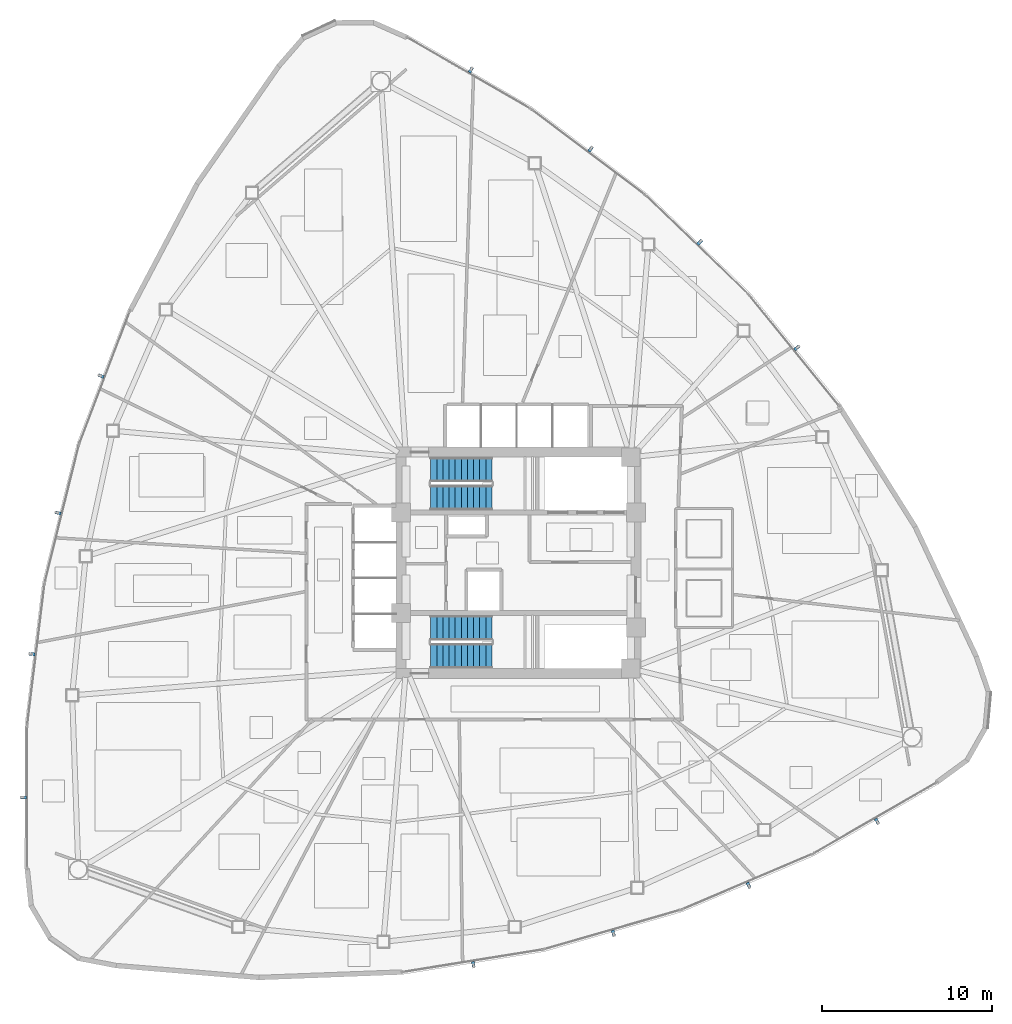
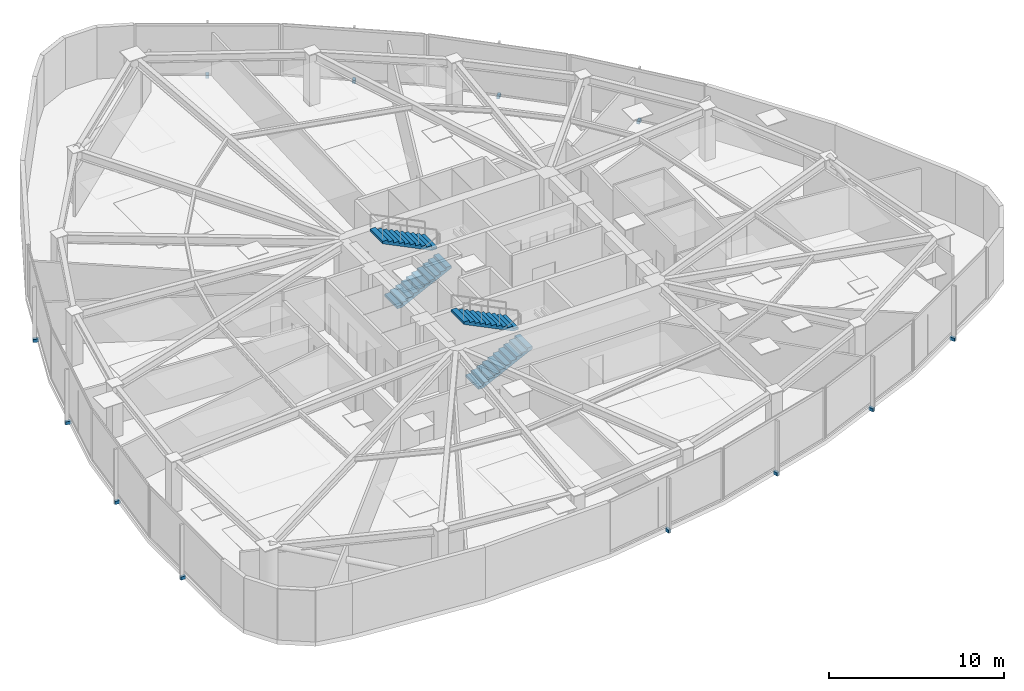
# One storey, part 13 of 17: 12 discrete accessories, 4 stair flights, 2 elements without a shape of their own.
"""IFC4 building model written with IfcOpenShell, lengths in metres."""

from ifc_helpers import new_model, si_unit, direction, frame, origin, origin_2d, place, context, subcontext, project, spatial, polyline, rectangle, outline, extrude, source, transform, mapped, material, type_object, type_shapes, element, aggregate, save


model = new_model("IFC4")

# Units and contexts
model_context = context("Model", 3, precision=1e-05, world=origin(), true_north=direction((0.0, 1.0)))
body_context = subcontext(model_context, "Body", "Model", "MODEL_VIEW")
ifc_project = project(units=[si_unit("LENGTHUNIT", "METRE"), si_unit("AREAUNIT", "SQUARE_METRE"), si_unit("VOLUMEUNIT", "CUBIC_METRE"), si_unit("PLANEANGLEUNIT", "RADIAN"), si_unit("MASSUNIT", "GRAM", prefix="KILO")], contexts=[model_context])

# Site, building, storey
site_placement = place(None, origin())
site = spatial("IfcSite", under=ifc_project, at=site_placement, CompositionType="ELEMENT")
building_placement = place(site_placement, origin())
building = spatial("IfcBuilding", under=site, at=building_placement, Name="Tavelor Broadcast Tower", CompositionType="ELEMENT")
storey_placement = place(building_placement, frame((0.0, 0.0, 78.300048828125)))
storey = spatial("IfcBuildingStorey", under=building, at=storey_placement, Name="L18", CompositionType="ELEMENT", Elevation=78.300048828125)

# Stair, stair flights
ifc_material_1 = material(Name="Concrete C40/50", Category="concrete")
stair_type = type_object("IfcStairType", Name="Reinforced Concrete Protected Dogleg Stair 1450 mm", PredefinedType="HALF_TURN_STAIR", material=ifc_material_1)
stair_1_placement = place(storey_placement, origin())
stair_1 = element("IfcStair", 1, at=stair_1_placement, inside=storey, type_object=stair_type, Name="L18 Protected Core Exit Stair ST1", PredefinedType="HALF_TURN_STAIR")
stair_flight_type = type_object("IfcStairFlightType", Name="Reinforced Concrete Stair Flight 1450 mm", PredefinedType="STRAIGHT", material=ifc_material_1)
stair_flight_1_placement = place(storey_placement, frame((44.85009765625, 48.824951171875, 0.0), z_axis=(0.0, 0.0, 1.0), x_axis=(1.0, 0.0, 0.0)))
stair_flight_1 = element("IfcStairFlight", 2, at=stair_flight_1_placement, type_object=stair_flight_type, Name="ST1 flight 1", NumberOfRisers=11, NumberOfTreads=10, PredefinedType="STRAIGHT", RiserHeight=0.177272727, TreadLength=0.36, context=body_context, shape_type="SweptSolid", body=[
    extrude(outline(polyline([(0.0, 0.0), (0.0, 0.17724609375), (0.360107421875, 0.17724609375), (0.360107421875, 0.3544921875), (0.719970703125, 0.3544921875), (0.719970703125, 0.53173828125), (1.080078125, 0.53173828125), (1.080078125, 0.708984375), (1.43994140625, 0.708984375), (1.43994140625, 0.886474609375), (1.800048828125, 0.886474609375), (1.800048828125, 1.063720703125), (2.159912109375, 1.063720703125), (2.159912109375, 1.240966796875), (2.52001953125, 1.240966796875), (2.52001953125, 1.418212890625), (2.8798828125, 1.418212890625), (2.8798828125, 1.595458984375), (3.239990234375, 1.595458984375), (3.239990234375, 1.772705078125), (3.60009765625, 1.772705078125), (3.60009765625, 1.949951171875), (3.60009765625, 1.605712890625), (0.33935546875, 0.0), (0.0, 0.0)])), frame((0.0, 0.72509765625, 0.0), z_axis=(0.0, -1.0, 0.0), x_axis=(1.0, 0.0, 0.0)), (0.0, 0.0, 1.0), 1.449951171875),
])
stair_flight_2_placement = place(storey_placement, frame((48.449951171875, 50.47509765625, 1.949951171875), z_axis=(0.0, 0.0, 1.0), x_axis=(-1.0, 0.0, 0.0)))
stair_flight_2 = element("IfcStairFlight", 3, at=stair_flight_2_placement, type_object=stair_flight_type, Name="ST1 flight 2", NumberOfRisers=11, NumberOfTreads=10, PredefinedType="STRAIGHT", RiserHeight=0.177272727, TreadLength=0.36, context=body_context, shape_type="SweptSolid", body=[
    extrude(outline(polyline([(0.0, 0.0), (0.0, 0.17724609375), (0.360107421875, 0.17724609375), (0.360107421875, 0.3544921875), (0.719970703125, 0.3544921875), (0.719970703125, 0.53173828125), (1.080078125, 0.53173828125), (1.080078125, 0.708984375), (1.43994140625, 0.708984375), (1.43994140625, 0.886474609375), (1.800048828125, 0.886474609375), (1.800048828125, 1.063720703125), (2.159912109375, 1.063720703125), (2.159912109375, 1.240966796875), (2.52001953125, 1.240966796875), (2.52001953125, 1.418212890625), (2.8798828125, 1.418212890625), (2.8798828125, 1.595458984375), (3.239990234375, 1.595458984375), (3.239990234375, 1.772705078125), (3.60009765625, 1.772705078125), (3.60009765625, 1.949951171875), (3.60009765625, 1.605712890625), (0.33935546875, 0.0), (0.0, 0.0)])), frame((0.0, 0.72509765625, 0.0), z_axis=(0.0, -1.0, 0.0), x_axis=(1.0, 0.0, 0.0)), (0.0, 0.0, 1.0), 1.449951171875),
])
aggregate(stair_1, [stair_flight_1, stair_flight_2])

stair_2_placement = place(storey_placement, origin())
stair_2 = element("IfcStair", 4, at=stair_2_placement, inside=storey, type_object=stair_type, Name="L18 Protected Core Exit Stair ST2", PredefinedType="HALF_TURN_STAIR")
stair_flight_3_placement = place(storey_placement, frame((44.85009765625, 39.52490234375, 0.0), z_axis=(0.0, 0.0, 1.0), x_axis=(1.0, 0.0, 0.0)))
stair_flight_3 = element("IfcStairFlight", 5, at=stair_flight_3_placement, type_object=stair_flight_type, Name="ST2 flight 1", NumberOfRisers=11, NumberOfTreads=10, PredefinedType="STRAIGHT", RiserHeight=0.177272727, TreadLength=0.36, context=body_context, shape_type="SweptSolid", body=[
    extrude(outline(polyline([(0.0, 0.0), (0.0, 0.17724609375), (0.360107421875, 0.17724609375), (0.360107421875, 0.3544921875), (0.719970703125, 0.3544921875), (0.719970703125, 0.53173828125), (1.080078125, 0.53173828125), (1.080078125, 0.708984375), (1.43994140625, 0.708984375), (1.43994140625, 0.886474609375), (1.800048828125, 0.886474609375), (1.800048828125, 1.063720703125), (2.159912109375, 1.063720703125), (2.159912109375, 1.240966796875), (2.52001953125, 1.240966796875), (2.52001953125, 1.418212890625), (2.8798828125, 1.418212890625), (2.8798828125, 1.595458984375), (3.239990234375, 1.595458984375), (3.239990234375, 1.772705078125), (3.60009765625, 1.772705078125), (3.60009765625, 1.949951171875), (3.60009765625, 1.605712890625), (0.33935546875, 0.0), (0.0, 0.0)])), frame((0.0, 0.72509765625, 0.0), z_axis=(0.0, -1.0, 0.0), x_axis=(1.0, 0.0, 0.0)), (0.0, 0.0, 1.0), 1.449951171875),
])
stair_flight_4_placement = place(storey_placement, frame((48.449951171875, 41.175048828125, 1.949951171875), z_axis=(0.0, 0.0, 1.0), x_axis=(-1.0, 0.0, 0.0)))
stair_flight_4 = element("IfcStairFlight", 6, at=stair_flight_4_placement, type_object=stair_flight_type, Name="ST2 flight 2", NumberOfRisers=11, NumberOfTreads=10, PredefinedType="STRAIGHT", RiserHeight=0.177272727, TreadLength=0.36, context=body_context, shape_type="SweptSolid", body=[
    extrude(outline(polyline([(0.0, 0.0), (0.0, 0.17724609375), (0.360107421875, 0.17724609375), (0.360107421875, 0.3544921875), (0.719970703125, 0.3544921875), (0.719970703125, 0.53173828125), (1.080078125, 0.53173828125), (1.080078125, 0.708984375), (1.43994140625, 0.708984375), (1.43994140625, 0.886474609375), (1.800048828125, 0.886474609375), (1.800048828125, 1.063720703125), (2.159912109375, 1.063720703125), (2.159912109375, 1.240966796875), (2.52001953125, 1.240966796875), (2.52001953125, 1.418212890625), (2.8798828125, 1.418212890625), (2.8798828125, 1.595458984375), (3.239990234375, 1.595458984375), (3.239990234375, 1.772705078125), (3.60009765625, 1.772705078125), (3.60009765625, 1.949951171875), (3.60009765625, 1.605712890625), (0.33935546875, 0.0), (0.0, 0.0)])), frame((0.0, 0.72509765625, 0.0), z_axis=(0.0, -1.0, 0.0), x_axis=(1.0, 0.0, 0.0)), (0.0, 0.0, 1.0), 1.449951171875),
])
aggregate(stair_2, [stair_flight_3, stair_flight_4])

# Discrete accessories
ifc_material_2 = material(Name="Steel S355", Category="steel")
discrete_accessory_type = type_object("IfcDiscreteAccessoryType", Name="Stainless Baguette Outrigger Support Bracket 260x180", PredefinedType="BRACKET", material=ifc_material_2)
shared_shape = source(origin(), body_context, "Body", "SweptSolid", [
    extrude(rectangle(XDim=0.179931640625, YDim=0.340087890625, at=origin_2d()), origin(), (0.0, 0.0, 1.0), 0.216064453125),
])
type_shapes(discrete_accessory_type, [shared_shape])
for number, where, z_axis, x_axis, name in (
    (7, (25.49267578125, 55.967041015625, -0.25830078125), (0.0, 0.0, 1.0), (-0.356411878713, -0.934328942457, 0.0), "L18 Baguette Outrigger Bracket 169"),
    (8, (22.972900390625, 47.926513671875, -0.25830078125), (0.0, 0.0, 1.0), (-0.240566871809, -0.970632567035, 0.0), "L18 Baguette Outrigger Bracket 170"),
    (9, (21.444580078125, 39.640380859375, -0.25830078125), (0.0, 0.0, 1.0), (-0.121349630774, -0.992609826221, 0.0), "L18 Baguette Outrigger Bracket 171"),
    (10, (20.930419921875, 31.22998046875, -0.25830078125), (0.0, 0.0, 1.0), (-0.000349065843, -0.999999939077, 0.0), "L18 Baguette Outrigger Bracket 172"),
    (11, (47.35595703125, 21.41015625, -0.25830078125), (0.0, 0.0, 1.0), (0.987330860032, 0.158675054211, 0.0), "L18 Baguette Outrigger Bracket 173"),
    (12, (55.5791015625, 23.248291015625, -0.25830078125), (0.0, 0.0, 1.0), (0.960924224062, 0.276811552523, 0.0), "L18 Baguette Outrigger Bracket 174"),
    (13, (63.519287109375, 26.06787109375, -0.25830078125), (0.0, 0.0, 1.0), (0.920300140941, 0.391213050121, 0.0), "L18 Baguette Outrigger Bracket 175"),
    (14, (71.059814453125, 29.82763671875, -0.25830078125), (0.0, 0.0, 1.0), (0.866199883945, 0.49969766965, 0.0), "L18 Baguette Outrigger Bracket 176"),
    (15, (66.351318359375, 57.622802734375, -0.25830078125), (0.0, 0.0, 1.0), (-0.63108205791, 0.775716079622, 0.0), "L18 Baguette Outrigger Bracket 177"),
    (16, (60.64794921875, 63.8251953125, -0.25830078125), (0.0, 0.0, 1.0), (-0.720187948577, 0.693779012888, 0.0), "L18 Baguette Outrigger Bracket 178"),
    (17, (54.236083984375, 69.291748046875, -0.25830078125), (0.0, 0.0, 1.0), (-0.798950510167, 0.6013967761, 0.0), "L18 Baguette Outrigger Bracket 179"),
    (18, (47.209716796875, 73.942138671875, -0.25830078125), (0.0, 0.0, 1.0), (-0.865850818101, 0.500302269426, 0.0), "L18 Baguette Outrigger Bracket 180"),
):
    element("IfcDiscreteAccessory", number, at=place(storey_placement, frame(where, z_axis=z_axis, x_axis=x_axis)), inside=storey, type_object=discrete_accessory_type, Name=name, PredefinedType="BRACKET", context=body_context, shape_type="MappedRepresentation", body=[
        mapped(shared_shape, transform((0.0, 0.0, 0.0), scale=1.0)),
    ])

save(model, "model.ifc")
